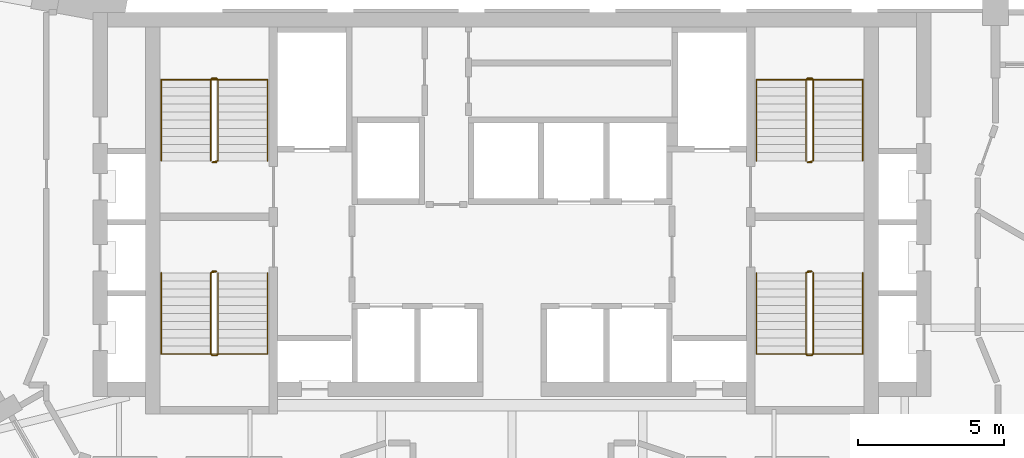
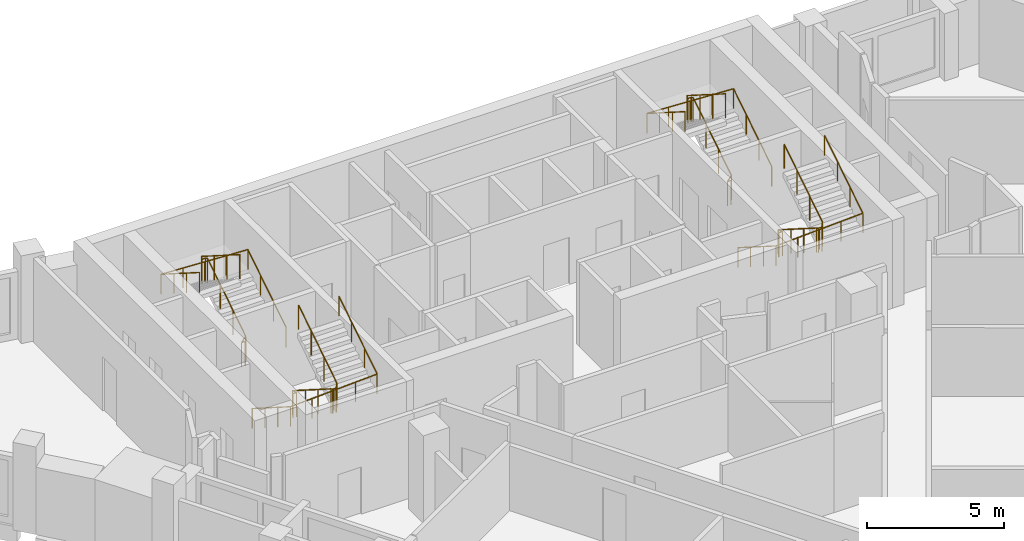
# One storey, part 9 of 9: 8 railings.
"""IFC4 building model written with IfcOpenShell, lengths in metres."""

from ifc_helpers import new_model, si_unit, direction, frame, origin, origin_2d, place, context, subcontext, project, spatial, circle, extrude, material, type_object, element, save


model = new_model("IFC4")

# Units and contexts
model_context = context("Model", 3, precision=1e-05, world=origin(), true_north=direction((0.0, 1.0)))
body_context = subcontext(model_context, "Body", "Model", "MODEL_VIEW")
ifc_project = project(units=[si_unit("LENGTHUNIT", "METRE"), si_unit("AREAUNIT", "SQUARE_METRE"), si_unit("VOLUMEUNIT", "CUBIC_METRE"), si_unit("PLANEANGLEUNIT", "RADIAN"), si_unit("MASSUNIT", "GRAM", prefix="KILO")], contexts=[model_context])

# Site, building, storey
site_placement = place(None, origin())
site = spatial("IfcSite", under=ifc_project, at=site_placement, CompositionType="ELEMENT")
building_placement = place(site_placement, origin())
building = spatial("IfcBuilding", under=site, at=building_placement, Name="Calabash Gate Tower", CompositionType="ELEMENT")
storey_placement = place(building_placement, frame((0.0, 0.0, 215.89990234375)))
storey = spatial("IfcBuildingStorey", under=building, at=storey_placement, Name="L51", CompositionType="ELEMENT", Elevation=215.89990234375)

# Railings
ifc_material_1 = material(Name="Black powder-coated steel balusters", Category="steel")
railing_type_1 = type_object("IfcRailingType", Name="Stair guard RL1100", PredefinedType="GUARDRAIL", material=ifc_material_1)
railing_1_placement = place(storey_placement, frame((-10.14990234375, 13.902587890625, 0.0)))
element("IfcRailing", 1, at=railing_1_placement, inside=storey, type_object=railing_type_1, Name="L51 ST1 stair guard 1", PredefinedType="GUARDRAIL", context=body_context, shape_type="SweptSolid", body=[
    extrude(circle(Radius=0.02392578125, at=origin_2d()), frame((0.0, 0.0, 1.076171875), z_axis=(-1.0, 0.0, 0.0), x_axis=(0.0, -1.0, 0.0)), (0.0, 0.0, 1.0), 0.150146484375),
    extrude(circle(Radius=0.02392578125, at=origin_2d()), frame((-0.150146484375, 0.0, 1.076171875), z_axis=(0.735094037398, 0.183997897029, 0.652519371414), x_axis=(-0.242814311512, 0.970072785993, 0.0)), (0.0, 0.0, 1.0), 0.27197265625),
    extrude(circle(Radius=0.02392578125, at=origin_2d()), frame((0.0498046875, 0.050048828125, 1.25341796875), z_axis=(0.0, 0.844041424197, 0.536277982245), x_axis=(-1.0, 0.0, 0.0)), (0.0, 0.0, 1.0), 3.3056640625),
    extrude(circle(Radius=0.02392578125, at=origin_2d()), frame((0.0498046875, 2.840087890625, 3.0263671875), z_axis=(-0.707106781187, 0.707106781187, 0.0), x_axis=(-0.707106781187, -0.707106781187, 0.0)), (0.0, 0.0, 1.0), 0.0703125),
    extrude(circle(Radius=0.02392578125, at=origin_2d()), frame((0.0, 2.889892578125, 3.0263671875), z_axis=(-1.0, 0.0, 0.0), x_axis=(0.0, -1.0, 0.0)), (0.0, 0.0, 1.0), 0.150146484375),
    extrude(circle(Radius=0.02392578125, at=origin_2d()), frame((-0.150146484375, 2.889892578125, 3.0263671875), z_axis=(-0.262321481514, -0.261041864531, 0.929001929653), x_axis=(0.705375805398, -0.708833529934, 0.0)), (0.0, 0.0, 1.0), 0.190673828125),
    extrude(circle(Radius=0.02392578125, at=origin_2d()), frame((-0.2001953125, 2.840087890625, 3.20361328125), z_axis=(0.0, -0.844041424197, 0.536277982245), x_axis=(1.0, 0.0, 0.0)), (0.0, 0.0, 1.0), 3.3056640625),
    extrude(circle(Radius=0.02099609375, at=origin_2d()), origin(), (0.0, 0.0, 1.0), 1.052001953125),
    extrude(circle(Radius=0.02099609375, at=origin_2d()), frame((-0.150146484375, 0.0, 0.0)), (0.0, 0.0, 1.0), 1.052001953125),
    extrude(circle(Radius=0.02099609375, at=origin_2d()), frame((0.0498046875, 0.050048828125, 0.177490234375)), (0.0, 0.0, 1.0), 1.052001953125),
    extrude(circle(Radius=0.02099609375, at=origin_2d()), frame((0.0498046875, 0.97998046875, 0.768310546875)), (0.0, 0.0, 1.0), 1.052001953125),
    extrude(circle(Radius=0.02099609375, at=origin_2d()), frame((0.0498046875, 1.91015625, 1.359375)), (0.0, 0.0, 1.0), 1.052001953125),
    extrude(circle(Radius=0.02099609375, at=origin_2d()), frame((0.0498046875, 2.840087890625, 1.9501953125)), (0.0, 0.0, 1.0), 1.052001953125),
    extrude(circle(Radius=0.02099609375, at=origin_2d()), frame((0.0, 2.889892578125, 1.9501953125)), (0.0, 0.0, 1.0), 1.052001953125),
    extrude(circle(Radius=0.02099609375, at=origin_2d()), frame((-0.150146484375, 2.889892578125, 1.9501953125)), (0.0, 0.0, 1.0), 1.052001953125),
    extrude(circle(Radius=0.02099609375, at=origin_2d()), frame((-0.2001953125, 2.840087890625, 2.12744140625)), (0.0, 0.0, 1.0), 1.052001953125),
    extrude(circle(Radius=0.02099609375, at=origin_2d()), frame((-0.2001953125, 1.91015625, 2.71826171875)), (0.0, 0.0, 1.0), 1.052001953125),
    extrude(circle(Radius=0.02099609375, at=origin_2d()), frame((-0.2001953125, 0.97998046875, 3.309326171875)), (0.0, 0.0, 1.0), 1.052001953125),
    extrude(circle(Radius=0.02099609375, at=origin_2d()), frame((-0.2001953125, 0.050048828125, 3.900146484375)), (0.0, 0.0, 1.0), 1.052001953125),
])
railing_2_placement = place(storey_placement, frame((-10.300048828125, 10.152587890625, 0.0)))
element("IfcRailing", 2, at=railing_2_placement, inside=storey, type_object=railing_type_1, Name="L51 ST2 stair guard 1", PredefinedType="GUARDRAIL", context=body_context, shape_type="SweptSolid", body=[
    extrude(circle(Radius=0.02392578125, at=origin_2d()), frame((0.0, 0.0, 1.076171875), z_axis=(1.0, 0.0, 0.0), x_axis=(0.0, 1.0, 0.0)), (0.0, 0.0, 1.0), 0.150146484375),
    extrude(circle(Radius=0.02392578125, at=origin_2d()), frame((0.150146484375, 0.0, 1.076171875), z_axis=(-0.735506176693, -0.183876544173, 0.652089012751), x_axis=(0.242535625036, -0.970142500145, 0.0)), (0.0, 0.0, 1.0), 0.272216796875),
    extrude(circle(Radius=0.02392578125, at=origin_2d()), frame((-0.050048828125, -0.050048828125, 1.25341796875), z_axis=(0.0, -0.844041424197, 0.536277982245), x_axis=(1.0, 0.0, 0.0)), (0.0, 0.0, 1.0), 3.3056640625),
    extrude(circle(Radius=0.02392578125, at=origin_2d()), frame((-0.050048828125, -2.840087890625, 3.0263671875), z_axis=(0.708833529934, -0.705375805398, 0.0), x_axis=(0.705375805398, 0.708833529934, 0.0)), (0.0, 0.0, 1.0), 0.070556640625),
    extrude(circle(Radius=0.02392578125, at=origin_2d()), frame((0.0, -2.889892578125, 3.0263671875), z_axis=(1.0, 0.0, 0.0), x_axis=(0.0, 1.0, 0.0)), (0.0, 0.0, 1.0), 0.150146484375),
    extrude(circle(Radius=0.02392578125, at=origin_2d()), frame((0.150146484375, -2.889892578125, 3.0263671875), z_axis=(0.261129318932, 0.261129318932, 0.929313164433), x_axis=(-0.707106781187, 0.707106781187, 0.0)), (0.0, 0.0, 1.0), 0.190673828125),
    extrude(circle(Radius=0.02392578125, at=origin_2d()), frame((0.199951171875, -2.840087890625, 3.20361328125), z_axis=(0.0, 0.844041424197, 0.536277982245), x_axis=(-1.0, 0.0, 0.0)), (0.0, 0.0, 1.0), 3.3056640625),
    extrude(circle(Radius=0.02099609375, at=origin_2d()), origin(), (0.0, 0.0, 1.0), 1.052001953125),
    extrude(circle(Radius=0.02099609375, at=origin_2d()), frame((0.150146484375, 0.0, 0.0)), (0.0, 0.0, 1.0), 1.052001953125),
    extrude(circle(Radius=0.02099609375, at=origin_2d()), frame((-0.050048828125, -0.050048828125, 0.177490234375)), (0.0, 0.0, 1.0), 1.052001953125),
    extrude(circle(Radius=0.02099609375, at=origin_2d()), frame((-0.050048828125, -0.97998046875, 0.768310546875)), (0.0, 0.0, 1.0), 1.052001953125),
    extrude(circle(Radius=0.02099609375, at=origin_2d()), frame((-0.050048828125, -1.91015625, 1.359375)), (0.0, 0.0, 1.0), 1.052001953125),
    extrude(circle(Radius=0.02099609375, at=origin_2d()), frame((-0.050048828125, -2.840087890625, 1.9501953125)), (0.0, 0.0, 1.0), 1.052001953125),
    extrude(circle(Radius=0.02099609375, at=origin_2d()), frame((0.0, -2.889892578125, 1.9501953125)), (0.0, 0.0, 1.0), 1.052001953125),
    extrude(circle(Radius=0.02099609375, at=origin_2d()), frame((0.150146484375, -2.889892578125, 1.9501953125)), (0.0, 0.0, 1.0), 1.052001953125),
    extrude(circle(Radius=0.02099609375, at=origin_2d()), frame((0.199951171875, -2.840087890625, 2.12744140625)), (0.0, 0.0, 1.0), 1.052001953125),
    extrude(circle(Radius=0.02099609375, at=origin_2d()), frame((0.199951171875, -1.91015625, 2.71826171875)), (0.0, 0.0, 1.0), 1.052001953125),
    extrude(circle(Radius=0.02099609375, at=origin_2d()), frame((0.199951171875, -0.97998046875, 3.309326171875)), (0.0, 0.0, 1.0), 1.052001953125),
    extrude(circle(Radius=0.02099609375, at=origin_2d()), frame((0.199951171875, -0.050048828125, 3.900146484375)), (0.0, 0.0, 1.0), 1.052001953125),
])
railing_3_placement = place(storey_placement, frame((10.300048828125, 13.902587890625, 0.0)))
element("IfcRailing", 3, at=railing_3_placement, inside=storey, type_object=railing_type_1, Name="L51 ST3 stair guard 1", PredefinedType="GUARDRAIL", context=body_context, shape_type="SweptSolid", body=[
    extrude(circle(Radius=0.02392578125, at=origin_2d()), frame((0.0, 0.0, 1.076171875), z_axis=(-1.0, 0.0, 0.0), x_axis=(0.0, -1.0, 0.0)), (0.0, 0.0, 1.0), 0.150146484375),
    extrude(circle(Radius=0.02392578125, at=origin_2d()), frame((-0.150146484375, 0.0, 1.076171875), z_axis=(0.735506176693, 0.183876544173, 0.652089012751), x_axis=(-0.242535625036, 0.970142500145, 0.0)), (0.0, 0.0, 1.0), 0.272216796875),
    extrude(circle(Radius=0.02392578125, at=origin_2d()), frame((0.050048828125, 0.050048828125, 1.25341796875), z_axis=(0.0, 0.844041424197, 0.536277982245), x_axis=(-1.0, 0.0, 0.0)), (0.0, 0.0, 1.0), 3.3056640625),
    extrude(circle(Radius=0.02392578125, at=origin_2d()), frame((0.050048828125, 2.840087890625, 3.0263671875), z_axis=(-0.708833529934, 0.705375805398, 0.0), x_axis=(-0.705375805398, -0.708833529934, 0.0)), (0.0, 0.0, 1.0), 0.070556640625),
    extrude(circle(Radius=0.02392578125, at=origin_2d()), frame((0.0, 2.889892578125, 3.0263671875), z_axis=(-1.0, 0.0, 0.0), x_axis=(0.0, -1.0, 0.0)), (0.0, 0.0, 1.0), 0.150146484375),
    extrude(circle(Radius=0.02392578125, at=origin_2d()), frame((-0.150146484375, 2.889892578125, 3.0263671875), z_axis=(-0.261129318932, -0.261129318932, 0.929313164433), x_axis=(0.707106781187, -0.707106781187, 0.0)), (0.0, 0.0, 1.0), 0.190673828125),
    extrude(circle(Radius=0.02392578125, at=origin_2d()), frame((-0.199951171875, 2.840087890625, 3.20361328125), z_axis=(0.0, -0.844041424197, 0.536277982245), x_axis=(1.0, 0.0, 0.0)), (0.0, 0.0, 1.0), 3.3056640625),
    extrude(circle(Radius=0.02099609375, at=origin_2d()), origin(), (0.0, 0.0, 1.0), 1.052001953125),
    extrude(circle(Radius=0.02099609375, at=origin_2d()), frame((-0.150146484375, 0.0, 0.0)), (0.0, 0.0, 1.0), 1.052001953125),
    extrude(circle(Radius=0.02099609375, at=origin_2d()), frame((0.050048828125, 0.050048828125, 0.177490234375)), (0.0, 0.0, 1.0), 1.052001953125),
    extrude(circle(Radius=0.02099609375, at=origin_2d()), frame((0.050048828125, 0.97998046875, 0.768310546875)), (0.0, 0.0, 1.0), 1.052001953125),
    extrude(circle(Radius=0.02099609375, at=origin_2d()), frame((0.050048828125, 1.91015625, 1.359375)), (0.0, 0.0, 1.0), 1.052001953125),
    extrude(circle(Radius=0.02099609375, at=origin_2d()), frame((0.050048828125, 2.840087890625, 1.9501953125)), (0.0, 0.0, 1.0), 1.052001953125),
    extrude(circle(Radius=0.02099609375, at=origin_2d()), frame((0.0, 2.889892578125, 1.9501953125)), (0.0, 0.0, 1.0), 1.052001953125),
    extrude(circle(Radius=0.02099609375, at=origin_2d()), frame((-0.150146484375, 2.889892578125, 1.9501953125)), (0.0, 0.0, 1.0), 1.052001953125),
    extrude(circle(Radius=0.02099609375, at=origin_2d()), frame((-0.199951171875, 2.840087890625, 2.12744140625)), (0.0, 0.0, 1.0), 1.052001953125),
    extrude(circle(Radius=0.02099609375, at=origin_2d()), frame((-0.199951171875, 1.91015625, 2.71826171875)), (0.0, 0.0, 1.0), 1.052001953125),
    extrude(circle(Radius=0.02099609375, at=origin_2d()), frame((-0.199951171875, 0.97998046875, 3.309326171875)), (0.0, 0.0, 1.0), 1.052001953125),
    extrude(circle(Radius=0.02099609375, at=origin_2d()), frame((-0.199951171875, 0.050048828125, 3.900146484375)), (0.0, 0.0, 1.0), 1.052001953125),
])
railing_4_placement = place(storey_placement, frame((10.14990234375, 10.152587890625, 0.0)))
element("IfcRailing", 4, at=railing_4_placement, inside=storey, type_object=railing_type_1, Name="L51 ST4 stair guard 1", PredefinedType="GUARDRAIL", context=body_context, shape_type="SweptSolid", body=[
    extrude(circle(Radius=0.02392578125, at=origin_2d()), frame((0.0, 0.0, 1.076171875), z_axis=(1.0, 0.0, 0.0), x_axis=(0.0, 1.0, 0.0)), (0.0, 0.0, 1.0), 0.150146484375),
    extrude(circle(Radius=0.02392578125, at=origin_2d()), frame((0.150146484375, 0.0, 1.076171875), z_axis=(-0.735094037398, -0.183997897029, 0.652519371414), x_axis=(0.242814311512, -0.970072785993, 0.0)), (0.0, 0.0, 1.0), 0.27197265625),
    extrude(circle(Radius=0.02392578125, at=origin_2d()), frame((-0.0498046875, -0.050048828125, 1.25341796875), z_axis=(0.0, -0.844041424197, 0.536277982245), x_axis=(1.0, 0.0, 0.0)), (0.0, 0.0, 1.0), 3.3056640625),
    extrude(circle(Radius=0.02392578125, at=origin_2d()), frame((-0.0498046875, -2.840087890625, 3.0263671875), z_axis=(0.707106781187, -0.707106781187, 0.0), x_axis=(0.707106781187, 0.707106781187, 0.0)), (0.0, 0.0, 1.0), 0.0703125),
    extrude(circle(Radius=0.02392578125, at=origin_2d()), frame((0.0, -2.889892578125, 3.0263671875), z_axis=(1.0, 0.0, 0.0), x_axis=(0.0, 1.0, 0.0)), (0.0, 0.0, 1.0), 0.150146484375),
    extrude(circle(Radius=0.02392578125, at=origin_2d()), frame((0.150146484375, -2.889892578125, 3.0263671875), z_axis=(0.262321481514, 0.261041864531, 0.929001929653), x_axis=(-0.705375805398, 0.708833529934, 0.0)), (0.0, 0.0, 1.0), 0.190673828125),
    extrude(circle(Radius=0.02392578125, at=origin_2d()), frame((0.2001953125, -2.840087890625, 3.20361328125), z_axis=(0.0, 0.844041424197, 0.536277982245), x_axis=(-1.0, 0.0, 0.0)), (0.0, 0.0, 1.0), 3.3056640625),
    extrude(circle(Radius=0.02099609375, at=origin_2d()), origin(), (0.0, 0.0, 1.0), 1.052001953125),
    extrude(circle(Radius=0.02099609375, at=origin_2d()), frame((0.150146484375, 0.0, 0.0)), (0.0, 0.0, 1.0), 1.052001953125),
    extrude(circle(Radius=0.02099609375, at=origin_2d()), frame((-0.0498046875, -0.050048828125, 0.177490234375)), (0.0, 0.0, 1.0), 1.052001953125),
    extrude(circle(Radius=0.02099609375, at=origin_2d()), frame((-0.0498046875, -0.97998046875, 0.768310546875)), (0.0, 0.0, 1.0), 1.052001953125),
    extrude(circle(Radius=0.02099609375, at=origin_2d()), frame((-0.0498046875, -1.91015625, 1.359375)), (0.0, 0.0, 1.0), 1.052001953125),
    extrude(circle(Radius=0.02099609375, at=origin_2d()), frame((-0.0498046875, -2.840087890625, 1.9501953125)), (0.0, 0.0, 1.0), 1.052001953125),
    extrude(circle(Radius=0.02099609375, at=origin_2d()), frame((0.0, -2.889892578125, 1.9501953125)), (0.0, 0.0, 1.0), 1.052001953125),
    extrude(circle(Radius=0.02099609375, at=origin_2d()), frame((0.150146484375, -2.889892578125, 1.9501953125)), (0.0, 0.0, 1.0), 1.052001953125),
    extrude(circle(Radius=0.02099609375, at=origin_2d()), frame((0.2001953125, -2.840087890625, 2.12744140625)), (0.0, 0.0, 1.0), 1.052001953125),
    extrude(circle(Radius=0.02099609375, at=origin_2d()), frame((0.2001953125, -1.91015625, 2.71826171875)), (0.0, 0.0, 1.0), 1.052001953125),
    extrude(circle(Radius=0.02099609375, at=origin_2d()), frame((0.2001953125, -0.97998046875, 3.309326171875)), (0.0, 0.0, 1.0), 1.052001953125),
    extrude(circle(Radius=0.02099609375, at=origin_2d()), frame((0.2001953125, -0.050048828125, 3.900146484375)), (0.0, 0.0, 1.0), 1.052001953125),
])
ifc_material_2 = material(Name="Black powder-coated steel tube 48 mm", Category="steel")
railing_type_2 = type_object("IfcRailingType", Name="Stair handrail RL900", PredefinedType="HANDRAIL", material=ifc_material_2)
railing_5_placement = place(storey_placement, frame((-8.39990234375, 13.95263671875, 0.177490234375)))
element("IfcRailing", 5, at=railing_5_placement, inside=storey, type_object=railing_type_2, Name="L51 ST1 stair handrail 1", PredefinedType="HANDRAIL", context=body_context, shape_type="SweptSolid", body=[
    extrude(circle(Radius=0.02392578125, at=origin_2d()), frame((0.0, 0.0, 0.8759765625), z_axis=(0.0, 0.844041424197, 0.536277982245), x_axis=(-1.0, 0.0, 0.0)), (0.0, 0.0, 1.0), 3.3056640625),
    extrude(circle(Radius=0.02392578125, at=origin_2d()), frame((0.0, 2.7900390625, 2.6484375), z_axis=(-0.998823110844, 0.0, 0.048501476722), x_axis=(0.0, -1.0, 0.0)), (0.0, 0.0, 1.0), 3.654541015625),
    extrude(circle(Radius=0.02392578125, at=origin_2d()), frame((-3.650146484375, 2.7900390625, 2.82568359375), z_axis=(0.0, -0.844041424197, 0.536277982245), x_axis=(1.0, 0.0, 0.0)), (0.0, 0.0, 1.0), 3.3056640625),
    extrude(circle(Radius=0.02099609375, at=origin_2d()), origin(), (0.0, 0.0, 1.0), 0.851806640625),
    extrude(circle(Radius=0.02099609375, at=origin_2d()), frame((0.0, 0.929931640625, 0.5908203125)), (0.0, 0.0, 1.0), 0.851806640625),
    extrude(circle(Radius=0.02099609375, at=origin_2d()), frame((0.0, 1.860107421875, 1.181884765625)), (0.0, 0.0, 1.0), 0.851806640625),
    extrude(circle(Radius=0.02099609375, at=origin_2d()), frame((0.0, 2.7900390625, 1.772705078125)), (0.0, 0.0, 1.0), 0.851806640625),
    extrude(circle(Radius=0.02099609375, at=origin_2d()), frame((-0.91259765625, 2.7900390625, 1.81689453125)), (0.0, 0.0, 1.0), 0.851806640625),
    extrude(circle(Radius=0.02099609375, at=origin_2d()), frame((-1.8251953125, 2.7900390625, 1.861328125)), (0.0, 0.0, 1.0), 0.851806640625),
    extrude(circle(Radius=0.02099609375, at=origin_2d()), frame((-2.737548828125, 2.7900390625, 1.90576171875)), (0.0, 0.0, 1.0), 0.851806640625),
    extrude(circle(Radius=0.02099609375, at=origin_2d()), frame((-3.650146484375, 2.7900390625, 1.949951171875)), (0.0, 0.0, 1.0), 0.851806640625),
    extrude(circle(Radius=0.02099609375, at=origin_2d()), frame((-3.650146484375, 1.860107421875, 2.540771484375)), (0.0, 0.0, 1.0), 0.851806640625),
    extrude(circle(Radius=0.02099609375, at=origin_2d()), frame((-3.650146484375, 0.929931640625, 3.1318359375)), (0.0, 0.0, 1.0), 0.851806640625),
    extrude(circle(Radius=0.02099609375, at=origin_2d()), frame((-3.650146484375, 0.0, 3.72265625)), (0.0, 0.0, 1.0), 0.851806640625),
])
railing_6_placement = place(storey_placement, frame((-12.050048828125, 10.1025390625, 0.177490234375)))
element("IfcRailing", 6, at=railing_6_placement, inside=storey, type_object=railing_type_2, Name="L51 ST2 stair handrail 1", PredefinedType="HANDRAIL", context=body_context, shape_type="SweptSolid", body=[
    extrude(circle(Radius=0.02392578125, at=origin_2d()), frame((0.0, 0.0, 0.8759765625), z_axis=(0.0, -0.844041424197, 0.536277982245), x_axis=(1.0, 0.0, 0.0)), (0.0, 0.0, 1.0), 3.3056640625),
    extrude(circle(Radius=0.02392578125, at=origin_2d()), frame((0.0, -2.7900390625, 2.6484375), z_axis=(0.998823110844, 0.0, 0.048501476722), x_axis=(0.0, 1.0, 0.0)), (0.0, 0.0, 1.0), 3.654541015625),
    extrude(circle(Radius=0.02392578125, at=origin_2d()), frame((3.650146484375, -2.7900390625, 2.82568359375), z_axis=(0.0, 0.844041424197, 0.536277982245), x_axis=(-1.0, 0.0, 0.0)), (0.0, 0.0, 1.0), 3.3056640625),
    extrude(circle(Radius=0.02099609375, at=origin_2d()), origin(), (0.0, 0.0, 1.0), 0.851806640625),
    extrude(circle(Radius=0.02099609375, at=origin_2d()), frame((0.0, -0.929931640625, 0.5908203125)), (0.0, 0.0, 1.0), 0.851806640625),
    extrude(circle(Radius=0.02099609375, at=origin_2d()), frame((0.0, -1.860107421875, 1.181884765625)), (0.0, 0.0, 1.0), 0.851806640625),
    extrude(circle(Radius=0.02099609375, at=origin_2d()), frame((0.0, -2.7900390625, 1.772705078125)), (0.0, 0.0, 1.0), 0.851806640625),
    extrude(circle(Radius=0.02099609375, at=origin_2d()), frame((0.91259765625, -2.7900390625, 1.81689453125)), (0.0, 0.0, 1.0), 0.851806640625),
    extrude(circle(Radius=0.02099609375, at=origin_2d()), frame((1.8251953125, -2.7900390625, 1.861328125)), (0.0, 0.0, 1.0), 0.851806640625),
    extrude(circle(Radius=0.02099609375, at=origin_2d()), frame((2.737548828125, -2.7900390625, 1.90576171875)), (0.0, 0.0, 1.0), 0.851806640625),
    extrude(circle(Radius=0.02099609375, at=origin_2d()), frame((3.650146484375, -2.7900390625, 1.949951171875)), (0.0, 0.0, 1.0), 0.851806640625),
    extrude(circle(Radius=0.02099609375, at=origin_2d()), frame((3.650146484375, -1.860107421875, 2.540771484375)), (0.0, 0.0, 1.0), 0.851806640625),
    extrude(circle(Radius=0.02099609375, at=origin_2d()), frame((3.650146484375, -0.929931640625, 3.1318359375)), (0.0, 0.0, 1.0), 0.851806640625),
    extrude(circle(Radius=0.02099609375, at=origin_2d()), frame((3.650146484375, 0.0, 3.72265625)), (0.0, 0.0, 1.0), 0.851806640625),
])
railing_7_placement = place(storey_placement, frame((12.050048828125, 13.95263671875, 0.177490234375)))
element("IfcRailing", 7, at=railing_7_placement, inside=storey, type_object=railing_type_2, Name="L51 ST3 stair handrail 1", PredefinedType="HANDRAIL", context=body_context, shape_type="SweptSolid", body=[
    extrude(circle(Radius=0.02392578125, at=origin_2d()), frame((0.0, 0.0, 0.8759765625), z_axis=(0.0, 0.844041424197, 0.536277982245), x_axis=(-1.0, 0.0, 0.0)), (0.0, 0.0, 1.0), 3.3056640625),
    extrude(circle(Radius=0.02392578125, at=origin_2d()), frame((0.0, 2.7900390625, 2.6484375), z_axis=(-0.998823110844, 0.0, 0.048501476722), x_axis=(0.0, -1.0, 0.0)), (0.0, 0.0, 1.0), 3.654541015625),
    extrude(circle(Radius=0.02392578125, at=origin_2d()), frame((-3.650146484375, 2.7900390625, 2.82568359375), z_axis=(0.0, -0.844041424197, 0.536277982245), x_axis=(1.0, 0.0, 0.0)), (0.0, 0.0, 1.0), 3.3056640625),
    extrude(circle(Radius=0.02099609375, at=origin_2d()), origin(), (0.0, 0.0, 1.0), 0.851806640625),
    extrude(circle(Radius=0.02099609375, at=origin_2d()), frame((0.0, 0.929931640625, 0.5908203125)), (0.0, 0.0, 1.0), 0.851806640625),
    extrude(circle(Radius=0.02099609375, at=origin_2d()), frame((0.0, 1.860107421875, 1.181884765625)), (0.0, 0.0, 1.0), 0.851806640625),
    extrude(circle(Radius=0.02099609375, at=origin_2d()), frame((0.0, 2.7900390625, 1.772705078125)), (0.0, 0.0, 1.0), 0.851806640625),
    extrude(circle(Radius=0.02099609375, at=origin_2d()), frame((-0.91259765625, 2.7900390625, 1.81689453125)), (0.0, 0.0, 1.0), 0.851806640625),
    extrude(circle(Radius=0.02099609375, at=origin_2d()), frame((-1.8251953125, 2.7900390625, 1.861328125)), (0.0, 0.0, 1.0), 0.851806640625),
    extrude(circle(Radius=0.02099609375, at=origin_2d()), frame((-2.737548828125, 2.7900390625, 1.90576171875)), (0.0, 0.0, 1.0), 0.851806640625),
    extrude(circle(Radius=0.02099609375, at=origin_2d()), frame((-3.650146484375, 2.7900390625, 1.949951171875)), (0.0, 0.0, 1.0), 0.851806640625),
    extrude(circle(Radius=0.02099609375, at=origin_2d()), frame((-3.650146484375, 1.860107421875, 2.540771484375)), (0.0, 0.0, 1.0), 0.851806640625),
    extrude(circle(Radius=0.02099609375, at=origin_2d()), frame((-3.650146484375, 0.929931640625, 3.1318359375)), (0.0, 0.0, 1.0), 0.851806640625),
    extrude(circle(Radius=0.02099609375, at=origin_2d()), frame((-3.650146484375, 0.0, 3.72265625)), (0.0, 0.0, 1.0), 0.851806640625),
])
railing_8_placement = place(storey_placement, frame((8.39990234375, 10.1025390625, 0.177490234375)))
element("IfcRailing", 8, at=railing_8_placement, inside=storey, type_object=railing_type_2, Name="L51 ST4 stair handrail 1", PredefinedType="HANDRAIL", context=body_context, shape_type="SweptSolid", body=[
    extrude(circle(Radius=0.02392578125, at=origin_2d()), frame((0.0, 0.0, 0.8759765625), z_axis=(0.0, -0.844041424197, 0.536277982245), x_axis=(1.0, 0.0, 0.0)), (0.0, 0.0, 1.0), 3.3056640625),
    extrude(circle(Radius=0.02392578125, at=origin_2d()), frame((0.0, -2.7900390625, 2.6484375), z_axis=(0.998823110844, 0.0, 0.048501476722), x_axis=(0.0, 1.0, 0.0)), (0.0, 0.0, 1.0), 3.654541015625),
    extrude(circle(Radius=0.02392578125, at=origin_2d()), frame((3.650146484375, -2.7900390625, 2.82568359375), z_axis=(0.0, 0.844041424197, 0.536277982245), x_axis=(-1.0, 0.0, 0.0)), (0.0, 0.0, 1.0), 3.3056640625),
    extrude(circle(Radius=0.02099609375, at=origin_2d()), origin(), (0.0, 0.0, 1.0), 0.851806640625),
    extrude(circle(Radius=0.02099609375, at=origin_2d()), frame((0.0, -0.929931640625, 0.5908203125)), (0.0, 0.0, 1.0), 0.851806640625),
    extrude(circle(Radius=0.02099609375, at=origin_2d()), frame((0.0, -1.860107421875, 1.181884765625)), (0.0, 0.0, 1.0), 0.851806640625),
    extrude(circle(Radius=0.02099609375, at=origin_2d()), frame((0.0, -2.7900390625, 1.772705078125)), (0.0, 0.0, 1.0), 0.851806640625),
    extrude(circle(Radius=0.02099609375, at=origin_2d()), frame((0.91259765625, -2.7900390625, 1.81689453125)), (0.0, 0.0, 1.0), 0.851806640625),
    extrude(circle(Radius=0.02099609375, at=origin_2d()), frame((1.8251953125, -2.7900390625, 1.861328125)), (0.0, 0.0, 1.0), 0.851806640625),
    extrude(circle(Radius=0.02099609375, at=origin_2d()), frame((2.737548828125, -2.7900390625, 1.90576171875)), (0.0, 0.0, 1.0), 0.851806640625),
    extrude(circle(Radius=0.02099609375, at=origin_2d()), frame((3.650146484375, -2.7900390625, 1.949951171875)), (0.0, 0.0, 1.0), 0.851806640625),
    extrude(circle(Radius=0.02099609375, at=origin_2d()), frame((3.650146484375, -1.860107421875, 2.540771484375)), (0.0, 0.0, 1.0), 0.851806640625),
    extrude(circle(Radius=0.02099609375, at=origin_2d()), frame((3.650146484375, -0.929931640625, 3.1318359375)), (0.0, 0.0, 1.0), 0.851806640625),
    extrude(circle(Radius=0.02099609375, at=origin_2d()), frame((3.650146484375, 0.0, 3.72265625)), (0.0, 0.0, 1.0), 0.851806640625),
])

save(model, "model.ifc")
